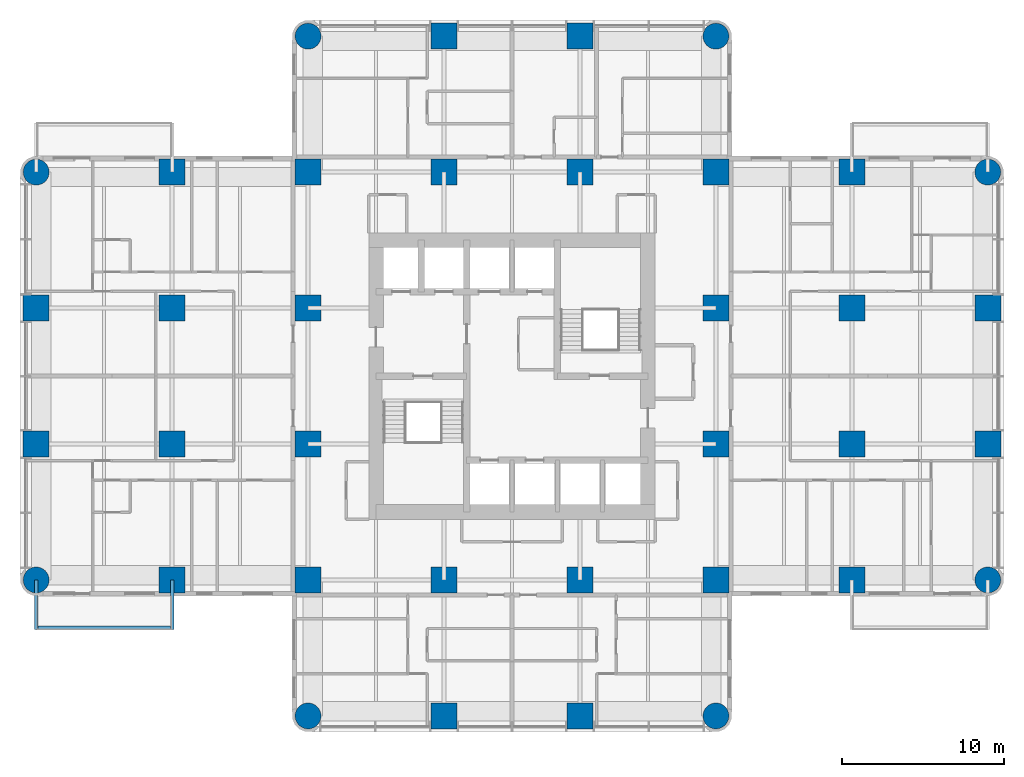
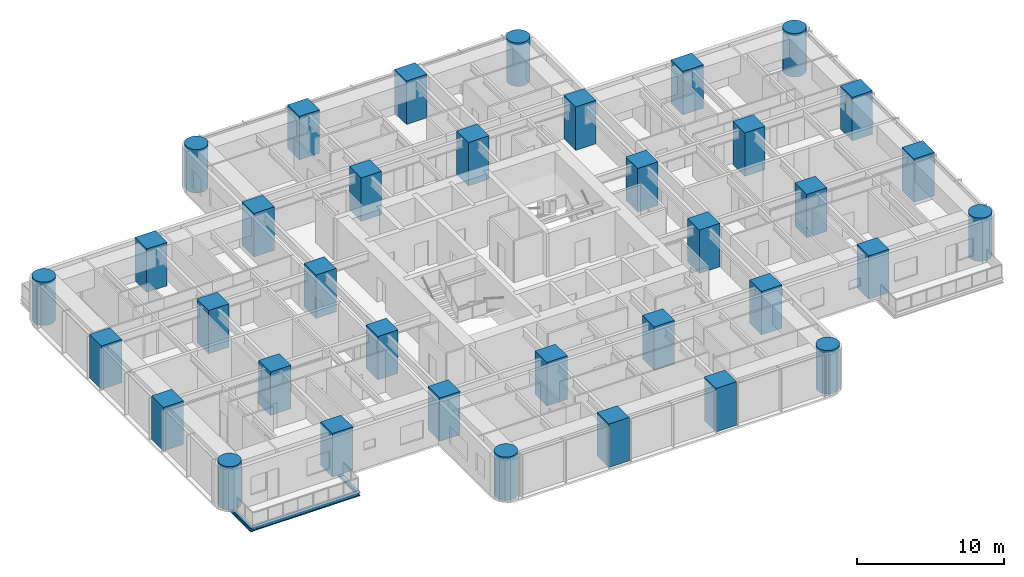
# One storey, part 1 of 15: 36 columns, 3 beams.
"""IFC4 building model written with IfcOpenShell, lengths in metres."""

from ifc_helpers import new_model, si_unit, direction, frame, origin, origin_2d, place, context, subcontext, project, spatial, rectangle, circle, i_section, extrude, material, material_profile, profile_set, type_object, element, save


model = new_model("IFC4")

# Units and contexts
model_context = context("Model", 3, precision=1e-05, world=origin(), true_north=direction((0.0, 1.0)))
body_context = subcontext(model_context, "Body", "Model", "MODEL_VIEW")
ifc_project = project(units=[si_unit("LENGTHUNIT", "METRE"), si_unit("AREAUNIT", "SQUARE_METRE"), si_unit("VOLUMEUNIT", "CUBIC_METRE"), si_unit("PLANEANGLEUNIT", "RADIAN"), si_unit("MASSUNIT", "GRAM", prefix="KILO")], contexts=[model_context])

# Site, building, storey
site_placement = place(None, origin())
site = spatial("IfcSite", under=ifc_project, at=site_placement, CompositionType="ELEMENT")
building_placement = place(site_placement, origin())
building = spatial("IfcBuilding", under=site, at=building_placement, Name="Torre Alcanfor", CompositionType="ELEMENT")
storey_placement = place(building_placement, frame((0.0, 0.0, 144.89990234375)))
storey = spatial("IfcBuildingStorey", under=building, at=storey_placement, Name="L37", CompositionType="ELEMENT", Elevation=144.89990234375)

# Columns
ifc_material_1 = material(Name="Concrete f'c 70 MPa", Category="concrete")
ifc_material_profile_1 = material_profile(ifc_material_1, rectangle(XDim=1.60009765625, YDim=1.60009765625, at=origin_2d()), Name="1600x1600")
ifc_profile_set_1 = profile_set([ifc_material_profile_1], Name="Concrete f'c 70 MPa")
column_type_1 = type_object("IfcColumnType", Name="RC column 1600x1600 f'c70", PredefinedType="COLUMN", material=ifc_profile_set_1)
for number, where, z_axis, x_axis, name in (
    (1, (0.0, 25.199951171875, 0.0), (0.0, 0.0, 1.0), (1.0, 0.0, 0.0), "Column 1/F L37"),
    (2, (0.0, 33.60009765625, 0.0), (0.0, 0.0, 1.0), (1.0, 0.0, 0.0), "Column 1/G L37"),
    (3, (8.39990234375, 16.800048828125, 0.0), (0.0, 0.0, 1.0), (1.0, 0.0, 0.0), "Column 2/E L37"),
    (4, (8.39990234375, 25.199951171875, 0.0), (0.0, 0.0, 1.0), (1.0, 0.0, 0.0), "Column 2/F L37"),
    (5, (8.39990234375, 33.60009765625, 0.0), (0.0, 0.0, 1.0), (1.0, 0.0, 0.0), "Column 2/G L37"),
    (6, (8.39990234375, 42.0, 0.0), (0.0, 0.0, 1.0), (1.0, 0.0, 0.0), "Column 2/H L37"),
    (7, (16.800048828125, 16.800048828125, 0.0), (0.0, 0.0, 1.0), (1.0, 0.0, 0.0), "Column 3/E L37"),
    (8, (16.800048828125, 25.199951171875, 0.0), (0.0, 0.0, 1.0), (1.0, 0.0, 0.0), "Column 3/F L37"),
    (9, (16.800048828125, 33.60009765625, 0.0), (0.0, 0.0, 1.0), (1.0, 0.0, 0.0), "Column 3/G L37"),
    (10, (16.800048828125, 42.0, 0.0), (0.0, 0.0, 1.0), (1.0, 0.0, 0.0), "Column 3/H L37"),
    (11, (25.199951171875, 8.39990234375, 0.0), (0.0, 0.0, 1.0), (1.0, 0.0, 0.0), "Column 4/D L37"),
    (12, (25.199951171875, 16.800048828125, 0.0), (0.0, 0.0, 1.0), (1.0, 0.0, 0.0), "Column 4/E L37"),
    (13, (25.199951171875, 42.0, 0.0), (0.0, 0.0, 1.0), (1.0, 0.0, 0.0), "Column 4/H L37"),
    (14, (25.199951171875, 50.39990234375, 0.0), (0.0, 0.0, 1.0), (1.0, 0.0, 0.0), "Column 4/J L37"),
    (15, (33.60009765625, 8.39990234375, 0.0), (0.0, 0.0, 1.0), (1.0, 0.0, 0.0), "Column 5/D L37"),
    (16, (33.60009765625, 16.800048828125, 0.0), (0.0, 0.0, 1.0), (1.0, 0.0, 0.0), "Column 5/E L37"),
    (17, (33.60009765625, 42.0, 0.0), (0.0, 0.0, 1.0), (1.0, 0.0, 0.0), "Column 5/H L37"),
    (18, (33.60009765625, 50.39990234375, 0.0), (0.0, 0.0, 1.0), (1.0, 0.0, 0.0), "Column 5/J L37"),
    (19, (42.0, 16.800048828125, 0.0), (0.0, 0.0, 1.0), (1.0, 0.0, 0.0), "Column 6/E L37"),
    (20, (42.0, 25.199951171875, 0.0), (0.0, 0.0, 1.0), (1.0, 0.0, 0.0), "Column 6/F L37"),
    (21, (42.0, 33.60009765625, 0.0), (0.0, 0.0, 1.0), (1.0, 0.0, 0.0), "Column 6/G L37"),
    (22, (42.0, 42.0, 0.0), (0.0, 0.0, 1.0), (1.0, 0.0, 0.0), "Column 6/H L37"),
    (23, (50.39990234375, 16.800048828125, 0.0), (0.0, 0.0, 1.0), (1.0, 0.0, 0.0), "Column 7/E L37"),
    (24, (50.39990234375, 25.199951171875, 0.0), (0.0, 0.0, 1.0), (1.0, 0.0, 0.0), "Column 7/F L37"),
    (25, (50.39990234375, 33.60009765625, 0.0), (0.0, 0.0, 1.0), (1.0, 0.0, 0.0), "Column 7/G L37"),
    (26, (50.39990234375, 42.0, 0.0), (0.0, 0.0, 1.0), (1.0, 0.0, 0.0), "Column 7/H L37"),
    (27, (58.800048828125, 25.199951171875, 0.0), (0.0, 0.0, 1.0), (1.0, 0.0, 0.0), "Column 8/F L37"),
    (28, (58.800048828125, 33.60009765625, 0.0), (0.0, 0.0, 1.0), (1.0, 0.0, 0.0), "Column 8/G L37"),
):
    element("IfcColumn", number, at=place(storey_placement, frame(where, z_axis=z_axis, x_axis=x_axis)), inside=storey, type_object=column_type_1, Name=name, PredefinedType="COLUMN", context=body_context, shape_type="SweptSolid", body=[
        extrude(rectangle(XDim=1.60009765625, YDim=1.60009765625, at=origin_2d()), origin(), (0.0, 0.0, 1.0), 3.60009765625),
    ])
ifc_material_2 = material(Name="Concrete f'c 70 MPa", Category="concrete")
ifc_material_profile_2 = material_profile(ifc_material_2, circle(Radius=0.800048828125, at=origin_2d()), Name="D1600")
ifc_profile_set_2 = profile_set([ifc_material_profile_2], Name="Concrete f'c 70 MPa")
column_type_2 = type_object("IfcColumnType", Name="RC column D1600 f'c70", PredefinedType="COLUMN", material=ifc_profile_set_2)
for number, where, z_axis, x_axis, name in (
    (29, (0.0, 16.800048828125, 0.0), (0.0, 0.0, 1.0), (1.0, 0.0, 0.0), "Column 1/E L37"),
    (30, (0.0, 42.0, 0.0), (0.0, 0.0, 1.0), (1.0, 0.0, 0.0), "Column 1/H L37"),
    (31, (16.800048828125, 8.39990234375, 0.0), (0.0, 0.0, 1.0), (1.0, 0.0, 0.0), "Column 3/D L37"),
    (32, (16.800048828125, 50.39990234375, 0.0), (0.0, 0.0, 1.0), (1.0, 0.0, 0.0), "Column 3/J L37"),
    (33, (42.0, 8.39990234375, 0.0), (0.0, 0.0, 1.0), (1.0, 0.0, 0.0), "Column 6/D L37"),
    (34, (42.0, 50.39990234375, 0.0), (0.0, 0.0, 1.0), (1.0, 0.0, 0.0), "Column 6/J L37"),
    (35, (58.800048828125, 16.800048828125, 0.0), (0.0, 0.0, 1.0), (1.0, 0.0, 0.0), "Column 8/E L37"),
    (36, (58.800048828125, 42.0, 0.0), (0.0, 0.0, 1.0), (1.0, 0.0, 0.0), "Column 8/H L37"),
):
    element("IfcColumn", number, at=place(storey_placement, frame(where, z_axis=z_axis, x_axis=x_axis)), inside=storey, type_object=column_type_2, Name=name, PredefinedType="COLUMN", context=body_context, shape_type="SweptSolid", body=[
        extrude(circle(Radius=0.800048828125, at=origin_2d()), origin(), (0.0, 0.0, 1.0), 3.60009765625),
    ])

# Beams
ifc_material_3 = material(Name="Steel ASTM A992 Grade 50", Category="steel")
ifc_material_profile_3 = material_profile(ifc_material_3, i_section(OverallWidth=0.205322265625, OverallDepth=0.309814453125, WebThickness=0.00927734375, FlangeThickness=0.016357421875, at=origin_2d()), Name="W12x50")
ifc_profile_set_3 = profile_set([ifc_material_profile_3], Name="Steel ASTM A992 Grade 50")
beam_type_1 = type_object("IfcBeamType", Name="Balcony cantilever beam W12x50", PredefinedType="BEAM", material=ifc_profile_set_3)
for number, where, z_axis, x_axis, name in (
    (37, (8.39990234375, 16.800048828125, -0.354736328125), (0.0, -1.0, 0.0), (1.0, 0.0, 0.0), "Balcony cantilever beam L37-W1 1"),
    (38, (0.0, 16.800048828125, -0.354736328125), (0.0, -1.0, 0.0), (1.0, 0.0, 0.0), "Balcony cantilever beam L37-W1 2"),
):
    element("IfcBeam", number, at=place(storey_placement, frame(where, z_axis=z_axis, x_axis=x_axis)), inside=storey, type_object=beam_type_1, Name=name, PredefinedType="BEAM", context=body_context, shape_type="SweptSolid", body=[
        extrude(i_section(OverallWidth=0.205322265625, OverallDepth=0.309814453125, WebThickness=0.00927734375, FlangeThickness=0.016357421875, at=origin_2d()), origin(), (0.0, 0.0, 1.0), 3.050048828125),
    ])
ifc_material_4 = material(Name="Steel ASTM A992 Grade 50", Category="steel")
ifc_material_profile_4 = material_profile(ifc_material_4, i_section(OverallWidth=0.203369140625, OverallDepth=0.30224609375, WebThickness=0.007568359375, FlangeThickness=0.01318359375, at=origin_2d()), Name="W12x40")
ifc_profile_set_4 = profile_set([ifc_material_profile_4], Name="Steel ASTM A992 Grade 50")
beam_type_2 = type_object("IfcBeamType", Name="Balcony edge trimmer W12x40", PredefinedType="BEAM", material=ifc_profile_set_4)
beam_placement = place(storey_placement, frame((8.39990234375, 13.851806640625, -0.35107421875), z_axis=(-1.0, 0.0, 0.0), x_axis=(0.0, -1.0, 0.0)))
element("IfcBeam", 39, at=beam_placement, inside=storey, type_object=beam_type_2, Name="Balcony edge trimmer L37-W1", PredefinedType="BEAM", context=body_context, shape_type="SweptSolid", body=[
    extrude(i_section(OverallWidth=0.203369140625, OverallDepth=0.30224609375, WebThickness=0.007568359375, FlangeThickness=0.01318359375, at=origin_2d()), origin(), (0.0, 0.0, 1.0), 8.39990234375),
])

save(model, "model.ifc")
